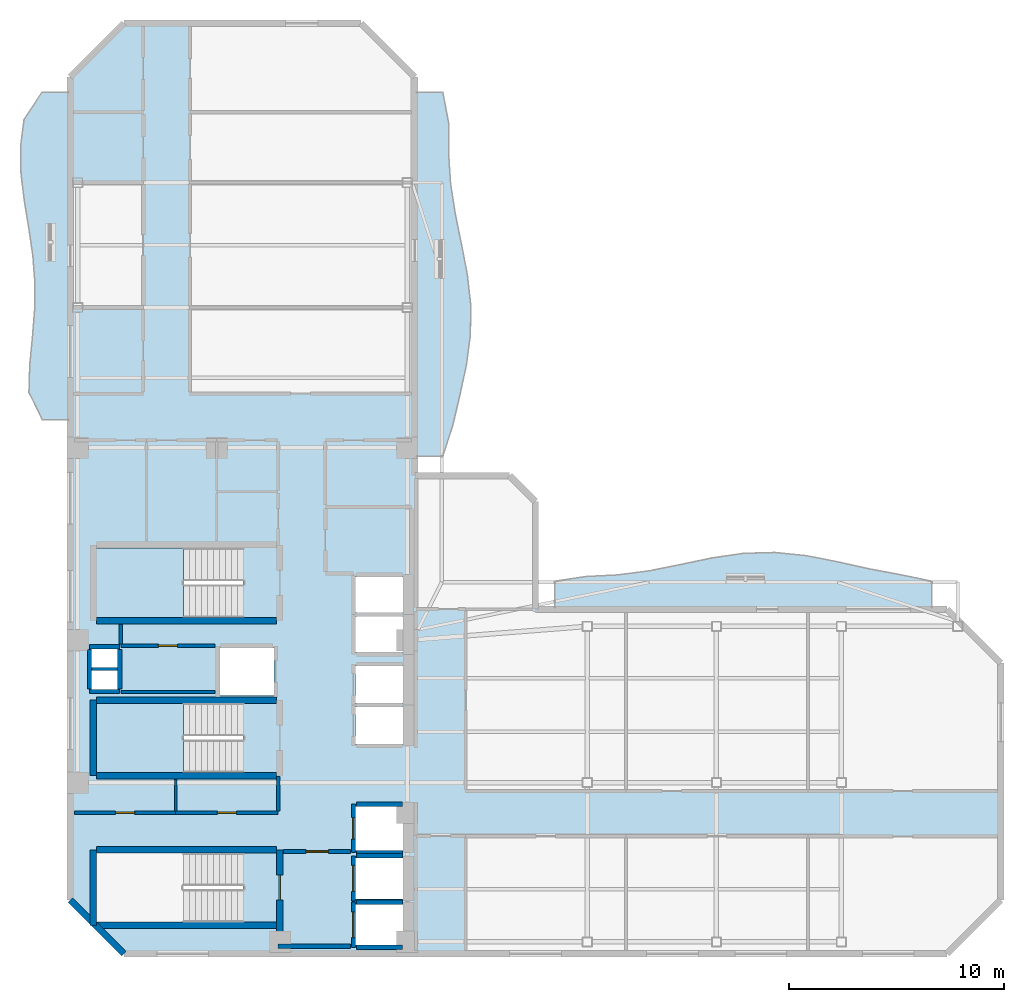
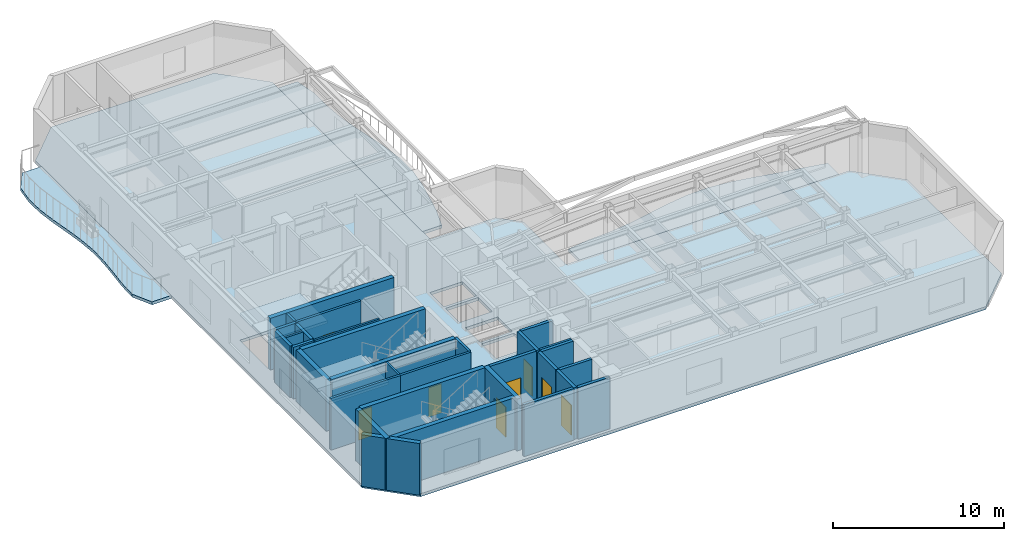
# One storey, part 2 of 9: 31 walls, 8 doors, 6 slabs, 8 openings, 2 elements without a shape of their own.
"""IFC4 building model written with IfcOpenShell, lengths in metres."""

from ifc_helpers import new_model, si_unit, direction, frame, frame_2d, origin, place, context, subcontext, project, spatial, polyline, rectangle, outline, extrude, material, layer, layer_set, type_object, element, fill, aggregate, save


model = new_model("IFC4")

# Units and contexts
model_context = context("Model", 3, precision=1e-05, world=origin(), true_north=direction((0.0, 1.0)))
body_context = subcontext(model_context, "Body", "Model", "MODEL_VIEW")
ifc_project = project(units=[si_unit("LENGTHUNIT", "METRE"), si_unit("AREAUNIT", "SQUARE_METRE"), si_unit("VOLUMEUNIT", "CUBIC_METRE"), si_unit("PLANEANGLEUNIT", "RADIAN"), si_unit("MASSUNIT", "GRAM", prefix="KILO")], contexts=[model_context])

# Site, building, storey
site_placement = place(None, origin())
site = spatial("IfcSite", under=ifc_project, at=site_placement, CompositionType="ELEMENT")
building_placement = place(site_placement, origin())
building = spatial("IfcBuilding", under=site, at=building_placement, Name="Mawjaban Terraces University", CompositionType="ELEMENT")
storey_placement = place(building_placement, frame((0.0, 0.0, 226.5)))
storey = spatial("IfcBuildingStorey", under=building, at=storey_placement, Name="L55", CompositionType="ELEMENT", Elevation=226.5)

# Slabs
ifc_material_1 = material(Name="Concrete C40/50", Category="concrete")
ifc_layer_1 = layer(ifc_material_1, 0.2099609375)
ifc_layer_set_1 = layer_set([ifc_layer_1], Name="Concrete C40/50")
slab_type_1 = type_object("IfcSlabType", Name="BalconySlab_210_Ext", PredefinedType="FLOOR", material=ifc_layer_set_1)
slab_1_placement = place(storey_placement, frame((0.0, 0.0, -0.2099609375)))
element("IfcSlab", 1, at=slab_1_placement, inside=storey, type_object=slab_type_1, Name="L55 Planted Balcony Slab west", PredefinedType="FLOOR", context=body_context, shape_type="SweptSolid", body=[
    extrude(outline(polyline([(22.010009765625, 24.800048828125), (22.010009765625, 40.0), (20.699951171875, 40.0), (19.85888671875, 38.73291015625), (19.694091796875, 37.467041015625), (19.718017578125, 36.199951171875), (19.8720703125, 34.93310546875), (20.08203125, 33.6669921875), (20.26611328125, 32.39990234375), (20.362060546875, 31.133056640625), (20.346923828125, 29.866943359375), (20.243896484375, 28.60009765625), (20.12109375, 27.3330078125), (20.0849609375, 26.06689453125), (20.699951171875, 24.800048828125), (22.010009765625, 24.800048828125)])), origin(), (0.0, 0.0, 1.0), 0.2099609375),
])
slab_2_placement = place(storey_placement, frame((0.0, 0.0, -0.2099609375)))
element("IfcSlab", 2, at=slab_2_placement, inside=storey, type_object=slab_type_1, Name="L55 Planted Balcony Slab inner_north", PredefinedType="FLOOR", context=body_context, shape_type="SweptSolid", body=[
    extrude(outline(polyline([(44.5, 15.989990234375), (62.0, 15.989990234375), (62.0, 17.300048828125), (60.5419921875, 17.59912109375), (59.0830078125, 17.8720703125), (57.625, 18.197998046875), (56.1669921875, 18.48388671875), (54.7080078125, 18.632080078125), (53.25, 18.590087890625), (51.7919921875, 18.376953125), (50.3330078125, 18.071044921875), (48.875, 17.780029296875), (47.4169921875, 17.590087890625), (45.9580078125, 17.51708984375), (44.5, 17.300048828125), (44.5, 15.989990234375)])), origin(), (0.0, 0.0, 1.0), 0.2099609375),
])
slab_3_placement = place(storey_placement, frame((0.0, 0.0, -0.2099609375)))
element("IfcSlab", 3, at=slab_3_placement, inside=storey, type_object=slab_type_1, Name="L55 Planted Balcony Slab inner_east", PredefinedType="FLOOR", context=body_context, shape_type="SweptSolid", body=[
    extrude(outline(polyline([(39.300048828125, 23.10009765625), (39.7529296875, 24.508056640625), (40.0869140625, 25.9169921875), (40.39111328125, 27.324951171875), (40.5791015625, 28.73291015625), (40.592041015625, 30.14208984375), (40.43310546875, 31.550048828125), (40.160888671875, 32.9580078125), (39.873046875, 34.366943359375), (39.657958984375, 35.77490234375), (39.56494140625, 37.18310546875), (39.56298828125, 38.592041015625), (39.300048828125, 40.0), (37.989990234375, 40.0), (37.989990234375, 23.10009765625), (39.300048828125, 23.10009765625)])), origin(), (0.0, 0.0, 1.0), 0.2099609375),
])
ifc_layer_2 = layer(ifc_material_1, 0.2099609375)
ifc_layer_set_2 = layer_set([ifc_layer_2], Name="Concrete C40/50")
slab_type_2 = type_object("IfcSlabType", Name="CompositeSlab_210", PredefinedType="FLOOR", material=ifc_layer_set_2)
slab_4_placement = place(storey_placement, frame((0.0, 0.0, -0.2099609375)))
element("IfcSlab", 4, at=slab_4_placement, inside=storey, type_object=slab_type_2, Name="L55 Primary Structural Slab", PredefinedType="FLOOR", context=body_context, shape_type="SweptSolid", body=[
    extrude(outline(polyline([(24.5, 0.0), (62.699951171875, 0.0), (65.199951171875, 2.5), (65.199951171875, 13.5), (62.699951171875, 16.0), (43.60009765625, 16.0), (43.60009765625, 21.0), (42.39990234375, 22.199951171875), (38.0, 22.199951171875), (38.0, 40.699951171875), (35.5, 43.199951171875), (24.5, 43.199951171875), (22.0, 40.699951171875), (22.0, 2.5), (24.5, 0.0)]), holes=[polyline([(30.014892578125, 4.699951171875), (23.199951171875, 4.699951171875), (23.199951171875, 1.449951171875), (30.014892578125, 1.449951171875), (30.014892578125, 4.699951171875)]), polyline([(30.014892578125, 18.85009765625), (23.199951171875, 18.85009765625), (23.199951171875, 15.60009765625), (30.014892578125, 15.60009765625), (30.014892578125, 18.85009765625)]), polyline([(30.014892578125, 11.64990234375), (23.199951171875, 11.64990234375), (23.199951171875, 8.39990234375), (30.014892578125, 8.39990234375), (30.014892578125, 11.64990234375)]), polyline([(35.25, 0.39990234375), (37.449951171875, 0.39990234375), (37.449951171875, 2.300048828125), (35.25, 2.300048828125), (35.25, 0.39990234375)]), polyline([(35.25, 2.550048828125), (37.449951171875, 2.550048828125), (37.449951171875, 4.449951171875), (35.25, 4.449951171875), (35.25, 2.550048828125)]), polyline([(35.25, 4.800048828125), (37.449951171875, 4.800048828125), (37.449951171875, 6.85009765625), (35.25, 6.85009765625), (35.25, 4.800048828125)]), polyline([(35.25, 9.75), (37.449951171875, 9.75), (37.449951171875, 11.449951171875), (35.25, 11.449951171875), (35.25, 9.75)]), polyline([(35.25, 11.64990234375), (37.449951171875, 11.64990234375), (37.449951171875, 13.35009765625), (35.25, 13.35009765625), (35.25, 11.64990234375)]), polyline([(28.949951171875, 12.0), (31.449951171875, 12.0), (31.449951171875, 14.199951171875), (28.949951171875, 14.199951171875), (28.949951171875, 12.0)]), polyline([(35.25, 14.0), (37.449951171875, 14.0), (37.449951171875, 15.64990234375), (35.25, 15.64990234375), (35.25, 14.0)]), polyline([(35.25, 15.85009765625), (37.449951171875, 15.85009765625), (37.449951171875, 17.5), (35.25, 17.5), (35.25, 15.85009765625)]), polyline([(23.0, 12.25), (24.199951171875, 12.25), (24.199951171875, 13.14990234375), (23.0, 13.14990234375), (23.0, 12.25)]), polyline([(23.0, 13.300048828125), (24.199951171875, 13.300048828125), (24.199951171875, 14.179931640625), (23.0, 14.179931640625), (23.0, 13.300048828125)])]), origin(), (0.0, 0.0, 1.0), 0.2099609375),
])

# Stair, slab
stair_type = type_object("IfcStairType", Name="Stair_Core1550_H39", PredefinedType="HALF_TURN_STAIR", material=ifc_material_1)
stair_1_placement = place(storey_placement, origin())
stair_1 = element("IfcStair", 5, at=stair_1_placement, inside=storey, type_object=stair_type, Name="L55 Core Exit Stair 2", PredefinedType="HALF_TURN_STAIR")
ifc_layer_3 = layer(ifc_material_1, 0.199951171875)
ifc_layer_set_3 = layer_set([ifc_layer_3], Name="Concrete C40/50")
slab_type_3 = type_object("IfcSlabType", Name="StairLandingSlab_200", PredefinedType="LANDING", material=ifc_layer_set_3)
slab_5_placement = place(storey_placement, frame((0.0, 0.0, 1.75)))
slab_5 = element("IfcSlab", 6, at=slab_5_placement, type_object=slab_type_3, Name="ST-2 landing 1", PredefinedType="LANDING", context=body_context, shape_type="SweptSolid", body=[
    extrude(outline(polyline([(27.25, 18.85009765625), (23.199951171875, 18.85009765625), (23.199951171875, 15.60009765625), (27.25, 15.60009765625), (27.25, 18.85009765625)])), origin(), (0.0, 0.0, 1.0), 0.199951171875),
])
aggregate(stair_1, [slab_5])

stair_2_placement = place(storey_placement, origin())
stair_2 = element("IfcStair", 7, at=stair_2_placement, inside=storey, type_object=stair_type, Name="L55 Core Exit Stair 3", PredefinedType="HALF_TURN_STAIR")
slab_6_placement = place(storey_placement, frame((0.0, 0.0, 1.75)))
slab_6 = element("IfcSlab", 8, at=slab_6_placement, type_object=slab_type_3, Name="ST-3 landing 1", PredefinedType="LANDING", context=body_context, shape_type="SweptSolid", body=[
    extrude(outline(polyline([(27.25, 11.64990234375), (23.199951171875, 11.64990234375), (23.199951171875, 8.39990234375), (27.25, 8.39990234375), (27.25, 11.64990234375)])), origin(), (0.0, 0.0, 1.0), 0.199951171875),
])
aggregate(stair_2, [slab_6])

# Wall, opening, door
ifc_material_2 = material(Name="Fire-rated gypsum board on steel stud", Category="steel")
ifc_layer_4 = layer(ifc_material_2, 0.159912109375)
ifc_layer_set_4 = layer_set([ifc_layer_4], Name="Fire-rated gypsum board on steel stud")
wall_type_1 = type_object("IfcWallType", Name="CorridorPartition_160", PredefinedType="PARTITIONING", material=ifc_layer_set_4)
wall_1_placement = place(storey_placement, frame((24.35009765625, 14.300048828125, 0.0), z_axis=(0.0, 0.0, 1.0), x_axis=(1.0, 0.0, 0.0)))
wall_1 = element("IfcWall", 9, at=wall_1_placement, inside=storey, type_object=wall_type_1, Name="L55 Core Riser Access Passage Partition 2", PredefinedType="PARTITIONING", context=body_context, shape_type="SweptSolid", body=[
    extrude(rectangle(XDim=4.369873046875, YDim=0.159912109375, at=frame_2d((2.18505859375, 0.0))), origin(), (0.0, 0.0, 1.0), 3.68994140625),
])
opening_1_placement = place(wall_1_placement, frame((1.7451171875, 0.0, 0.0)))
opening_1 = element("IfcOpeningElement", 10, at=opening_1_placement, cuts=wall_1, Name="Opening ID-088", PredefinedType="OPENING", context=body_context, shape_type="SweptSolid", body=[
    extrude(rectangle(XDim=0.8798828125, YDim=2.10009765625, at=frame_2d((0.43994140625, 1.050048828125))), frame((0.0, 0.08984375, 0.0), z_axis=(0.0, -1.0, 0.0), x_axis=(1.0, 0.0, 0.0)), (0.0, 0.0, 1.0), 0.179931640625),
])
ifc_material_3 = material(Name="Powder-coated steel frame and solid acoustic timber leaf", Category="steel")
door_type_1 = type_object("IfcDoorType", Name="ToiletDoor_880x2100", OperationType="NOTDEFINED", PredefinedType="DOOR", material=ifc_material_3)
door_1_placement = place(opening_1_placement, origin())
door_1 = element("IfcDoor", 11, at=door_1_placement, inside=storey, type_object=door_type_1, Name="L55 Ablution Room Door", OperationType="SINGLE_SWING_RIGHT", OverallHeight=2.10009765625, OverallWidth=0.8798828125, PredefinedType="DOOR", context=body_context, shape_type="SweptSolid", body=[
    extrude(rectangle(XDim=0.8798828125, YDim=2.10009765625, at=frame_2d((0.43994140625, 1.050048828125))), frame((0.0, 0.02490234375, 0.0), z_axis=(0.0, -1.0, 0.0), x_axis=(1.0, 0.0, 0.0)), (0.0, 0.0, 1.0), 0.050048828125),
])
fill(opening_1, door_1)

wall_2_placement = place(storey_placement, frame((26.89990234375, 6.550048828125, 0.0), z_axis=(0.0, 0.0, 1.0), x_axis=(-1.0, 0.0, 0.0)))
wall_2 = element("IfcWall", 12, at=wall_2_placement, inside=storey, type_object=wall_type_1, Name="L55 Core Washroom Lobby Partition 8", PredefinedType="PARTITIONING", context=body_context, shape_type="SweptSolid", body=[
    extrude(rectangle(XDim=4.699951171875, YDim=0.159912109375, at=frame_2d((2.35009765625, 0.0))), origin(), (0.0, 0.0, 1.0), 3.68994140625),
])
opening_2_placement = place(wall_2_placement, frame((1.909912109375, 0.0, 0.0)))
opening_2 = element("IfcOpeningElement", 13, at=opening_2_placement, cuts=wall_2, Name="Opening ID-088", PredefinedType="OPENING", context=body_context, shape_type="SweptSolid", body=[
    extrude(rectangle(XDim=0.8798828125, YDim=2.10009765625, at=frame_2d((0.43994140625, 1.050048828125))), frame((0.0, 0.08984375, 0.0), z_axis=(0.0, -1.0, 0.0), x_axis=(1.0, 0.0, 0.0)), (0.0, 0.0, 1.0), 0.179931640625),
])
door_2_placement = place(opening_2_placement, origin())
door_2 = element("IfcDoor", 14, at=door_2_placement, inside=storey, type_object=door_type_1, Name="L55 Male Toilet Door", OperationType="SINGLE_SWING_RIGHT", OverallHeight=2.10009765625, OverallWidth=0.8798828125, PredefinedType="DOOR", context=body_context, shape_type="SweptSolid", body=[
    extrude(rectangle(XDim=0.8798828125, YDim=2.10009765625, at=frame_2d((0.43994140625, 1.050048828125))), frame((0.0, 0.02490234375, 0.0), z_axis=(0.0, -1.0, 0.0), x_axis=(1.0, 0.0, 0.0)), (0.0, 0.0, 1.0), 0.050048828125),
])
fill(opening_2, door_2)

wall_3_placement = place(storey_placement, frame((31.64990234375, 6.550048828125, 0.0), z_axis=(0.0, 0.0, 1.0), x_axis=(-1.0, 0.0, 0.0)))
wall_3 = element("IfcWall", 15, at=wall_3_placement, inside=storey, type_object=wall_type_1, Name="L55 Core Washroom Lobby Partition 11", PredefinedType="PARTITIONING", context=body_context, shape_type="SweptSolid", body=[
    extrude(rectangle(XDim=4.75, YDim=0.159912109375, at=frame_2d((2.375, 0.0))), origin(), (0.0, 0.0, 1.0), 3.68994140625),
])
opening_3_placement = place(wall_3_placement, frame((1.93505859375, 0.0, 0.0)))
opening_3 = element("IfcOpeningElement", 16, at=opening_3_placement, cuts=wall_3, Name="Opening ID-088", PredefinedType="OPENING", context=body_context, shape_type="SweptSolid", body=[
    extrude(rectangle(XDim=0.8798828125, YDim=2.10009765625, at=frame_2d((0.43994140625, 1.050048828125))), frame((0.0, 0.08984375, 0.0), z_axis=(0.0, -1.0, 0.0), x_axis=(1.0, 0.0, 0.0)), (0.0, 0.0, 1.0), 0.179931640625),
])
door_3_placement = place(opening_3_placement, origin())
door_3 = element("IfcDoor", 17, at=door_3_placement, inside=storey, type_object=door_type_1, Name="L55 Accessible Toilet Door", OperationType="SINGLE_SWING_LEFT", OverallHeight=2.10009765625, OverallWidth=0.8798828125, PredefinedType="DOOR", context=body_context, shape_type="SweptSolid", body=[
    extrude(rectangle(XDim=0.8798828125, YDim=2.10009765625, at=frame_2d((0.43994140625, 1.050048828125))), frame((0.0, 0.02490234375, 0.0), z_axis=(0.0, -1.0, 0.0), x_axis=(1.0, 0.0, 0.0)), (0.0, 0.0, 1.0), 0.050048828125),
])
fill(opening_3, door_3)

# Walls
wall_4_placement = place(storey_placement, frame((24.35009765625, 15.2900390625, 0.0), z_axis=(0.0, 0.0, 1.0), x_axis=(0.0, -1.0, 0.0)))
element("IfcWall", 18, at=wall_4_placement, inside=storey, type_object=wall_type_1, Name="L55 Core Riser Access Passage Partition 31", PredefinedType="PARTITIONING", context=body_context, shape_type="SweptSolid", body=[
    extrude(rectangle(XDim=0.9150390625, YDim=0.159912109375, at=frame_2d((0.45751953125, 0.0))), origin(), (0.0, 0.0, 1.0), 3.68994140625),
])
wall_5_placement = place(storey_placement, frame((31.64990234375, 8.239990234375, 0.0), z_axis=(0.0, 0.0, 1.0), x_axis=(0.0, -1.0, 0.0)))
element("IfcWall", 19, at=wall_5_placement, inside=storey, type_object=wall_type_1, Name="L55 High-Rise Lift Lobby Partition 44", PredefinedType="PARTITIONING", context=body_context, shape_type="SweptSolid", body=[
    extrude(rectangle(XDim=1.614990234375, YDim=0.159912109375, at=frame_2d((0.8076171875, 0.0))), origin(), (0.0, 0.0, 1.0), 3.68994140625),
])
ifc_material_4 = material(Name="Insulated terracotta rainscreen on concrete backup C40/50", Category="masonry")
ifc_layer_5 = layer(ifc_material_4, 0.300048828125)
ifc_layer_set_5 = layer_set([ifc_layer_5], Name="Insulated terracotta rainscreen on concrete backup C40/50")
wall_type_2 = type_object("IfcWallType", Name="ExtTerracottaWall_300", PredefinedType="SOLIDWALL", material=ifc_layer_set_5)
wall_6_placement = place(storey_placement, frame((22.0, 2.5, 0.0), z_axis=(0.0, 0.0, 1.0), x_axis=(0.707106781187, -0.707106781187, 0.0)))
element("IfcWall", 20, at=wall_6_placement, inside=storey, type_object=wall_type_2, Name="L55 Exterior Terracotta Wall 14", PredefinedType="SOLIDWALL", context=body_context, shape_type="SweptSolid", body=[
    extrude(rectangle(XDim=3.53564453125, YDim=0.300048828125, at=frame_2d((1.767822265625, 0.0))), origin(), (0.0, 0.0, 1.0), 3.68994140625),
])

# Wall, opening, door
ifc_layer_6 = layer(ifc_material_1, 0.199951171875)
ifc_layer_set_6 = layer_set([ifc_layer_6], Name="Concrete C40/50")
wall_type_3 = type_object("IfcWallType", Name="FireLobbyWall_200", PredefinedType="SOLIDWALL", material=ifc_layer_set_6)
wall_7_placement = place(storey_placement, frame((35.14990234375, 2.39990234375, 0.0), z_axis=(0.0, 0.0, 1.0), x_axis=(0.0, -1.0, 0.0)))
wall_7 = element("IfcWall", 21, at=wall_7_placement, inside=storey, type_object=wall_type_3, Name="L55 Lift FL-1 Hoistway Wall West", PredefinedType="SOLIDWALL", context=body_context, shape_type="SweptSolid", body=[
    extrude(rectangle(XDim=2.099853515625, YDim=0.199951171875, at=frame_2d((1.0498046875, 0.0))), origin(), (0.0, 0.0, 1.0), 3.68994140625),
])
opening_4_placement = place(wall_7_placement, frame((0.449951171875, 0.0, 0.0)))
opening_4 = element("IfcOpeningElement", 22, at=opening_4_placement, cuts=wall_7, Name="Opening LD-FL-1", PredefinedType="OPENING", context=body_context, shape_type="SweptSolid", body=[
    extrude(rectangle(XDim=1.199951171875, YDim=2.14990234375, at=frame_2d((0.60009765625, 1.074951171875))), frame((0.0, 0.10986328125, 0.0), z_axis=(0.0, -1.0, 0.0), x_axis=(1.0, 0.0, 0.0)), (0.0, 0.0, 1.0), 0.219970703125),
])
ifc_material_5 = material(Name="Powder-coated steel frame and fire-rated steel-faced leaf", Category="steel")
door_type_2 = type_object("IfcDoorType", Name="LiftLandingFSAE_1200x2150", OperationType="NOTDEFINED", PredefinedType="DOOR", material=ifc_material_5)
door_4_placement = place(opening_4_placement, origin())
door_4 = element("IfcDoor", 23, at=door_4_placement, inside=storey, type_object=door_type_2, Name="L55 Lift FL-1 Sliding Landing Door", OperationType="DOUBLE_DOOR_SLIDING", OverallHeight=2.14990234375, OverallWidth=1.199951171875, PredefinedType="DOOR", context=body_context, shape_type="SweptSolid", body=[
    extrude(rectangle(XDim=1.199951171875, YDim=2.14990234375, at=frame_2d((0.60009765625, 1.074951171875))), frame((0.0, 0.02490234375, 0.0), z_axis=(0.0, -1.0, 0.0), x_axis=(1.0, 0.0, 0.0)), (0.0, 0.0, 1.0), 0.050048828125),
])
fill(opening_4, door_4)

# Walls
for number, where, z_axis, x_axis, name in (
    (24, (35.280029296875, 0.300048828125, 0.0), (0.0, 0.0, 1.0), (1.0, 0.0, 0.0), "L55 Lift FL-1 Hoistway Wall South"),
    (25, (37.419921875, 2.39990234375, 0.0), (0.0, 0.0, 1.0), (-1.0, 0.0, 0.0), "L55 Lift FL-1 Hoistway Wall North"),
):
    element("IfcWall", number, at=place(storey_placement, frame(where, z_axis=z_axis, x_axis=x_axis)), inside=storey, type_object=wall_type_3, Name=name, PredefinedType="SOLIDWALL", context=body_context, shape_type="SweptSolid", body=[
        extrude(rectangle(XDim=2.139892578125, YDim=0.199951171875, at=frame_2d((1.06982421875, 0.0))), origin(), (0.0, 0.0, 1.0), 3.68994140625),
    ])

# Wall, opening, door
wall_8_placement = place(storey_placement, frame((35.14990234375, 4.550048828125, 0.0), z_axis=(0.0, 0.0, 1.0), x_axis=(0.0, -1.0, 0.0)))
wall_8 = element("IfcWall", 26, at=wall_8_placement, inside=storey, type_object=wall_type_3, Name="L55 Lift FL-2 Hoistway Wall West", PredefinedType="SOLIDWALL", context=body_context, shape_type="SweptSolid", body=[
    extrude(rectangle(XDim=2.10009765625, YDim=0.199951171875, at=frame_2d((1.050048828125, 0.0))), origin(), (0.0, 0.0, 1.0), 3.68994140625),
])
opening_5_placement = place(wall_8_placement, frame((0.449951171875, 0.0, 0.0)))
opening_5 = element("IfcOpeningElement", 27, at=opening_5_placement, cuts=wall_8, Name="Opening LD-FL-2", PredefinedType="OPENING", context=body_context, shape_type="SweptSolid", body=[
    extrude(rectangle(XDim=1.199951171875, YDim=2.14990234375, at=frame_2d((0.60009765625, 1.074951171875))), frame((0.0, 0.10986328125, 0.0), z_axis=(0.0, -1.0, 0.0), x_axis=(1.0, 0.0, 0.0)), (0.0, 0.0, 1.0), 0.219970703125),
])
door_5_placement = place(opening_5_placement, origin())
door_5 = element("IfcDoor", 28, at=door_5_placement, inside=storey, type_object=door_type_2, Name="L55 Lift FL-2 Sliding Landing Door", OperationType="DOUBLE_DOOR_SLIDING", OverallHeight=2.14990234375, OverallWidth=1.199951171875, PredefinedType="DOOR", context=body_context, shape_type="SweptSolid", body=[
    extrude(rectangle(XDim=1.199951171875, YDim=2.14990234375, at=frame_2d((0.60009765625, 1.074951171875))), frame((0.0, 0.02490234375, 0.0), z_axis=(0.0, -1.0, 0.0), x_axis=(1.0, 0.0, 0.0)), (0.0, 0.0, 1.0), 0.050048828125),
])
fill(opening_5, door_5)

# Wall
wall_9_placement = place(storey_placement, frame((37.419921875, 4.550048828125, 0.0), z_axis=(0.0, 0.0, 1.0), x_axis=(-1.0, 0.0, 0.0)))
element("IfcWall", 29, at=wall_9_placement, inside=storey, type_object=wall_type_3, Name="L55 Lift FL-2 Hoistway Wall North", PredefinedType="SOLIDWALL", context=body_context, shape_type="SweptSolid", body=[
    extrude(rectangle(XDim=2.139892578125, YDim=0.199951171875, at=frame_2d((1.06982421875, 0.0))), origin(), (0.0, 0.0, 1.0), 3.68994140625),
])

# Wall, opening, door
wall_10_placement = place(storey_placement, frame((35.14990234375, 6.949951171875, 0.0), z_axis=(0.0, 0.0, 1.0), x_axis=(0.0, -1.0, 0.0)))
wall_10 = element("IfcWall", 30, at=wall_10_placement, inside=storey, type_object=wall_type_3, Name="L55 Lift SL-1 Hoistway Wall West", PredefinedType="SOLIDWALL", context=body_context, shape_type="SweptSolid", body=[
    extrude(rectangle(XDim=2.25, YDim=0.199951171875, at=frame_2d((1.125, 0.0))), origin(), (0.0, 0.0, 1.0), 3.68994140625),
])
opening_6_placement = place(wall_10_placement, frame((0.625, 0.0, 0.0)))
opening_6 = element("IfcOpeningElement", 31, at=opening_6_placement, cuts=wall_10, Name="Opening LD-SL-1", PredefinedType="OPENING", context=body_context, shape_type="SweptSolid", body=[
    extrude(rectangle(XDim=1.0, YDim=2.10009765625, at=frame_2d((0.5, 1.050048828125))), frame((0.0, 0.10986328125, 0.0), z_axis=(0.0, -1.0, 0.0), x_axis=(1.0, 0.0, 0.0)), (0.0, 0.0, 1.0), 0.219970703125),
])
door_type_3 = type_object("IfcDoorType", Name="LiftLandingSliding_1000x2100", OperationType="NOTDEFINED", PredefinedType="DOOR", material=ifc_material_5)
door_6_placement = place(opening_6_placement, origin())
door_6 = element("IfcDoor", 32, at=door_6_placement, inside=storey, type_object=door_type_3, Name="L55 Lift SL-1 Sliding Landing Door", OperationType="DOUBLE_DOOR_SLIDING", OverallHeight=2.10009765625, OverallWidth=1.0, PredefinedType="DOOR", context=body_context, shape_type="SweptSolid", body=[
    extrude(rectangle(XDim=1.0, YDim=2.10009765625, at=frame_2d((0.5, 1.050048828125))), frame((0.0, 0.02490234375, 0.0), z_axis=(0.0, -1.0, 0.0), x_axis=(1.0, 0.0, 0.0)), (0.0, 0.0, 1.0), 0.050048828125),
])
fill(opening_6, door_6)

# Walls
for number, where, z_axis, x_axis, name in (
    (33, (35.280029296875, 4.699951171875, 0.0), (0.0, 0.0, 1.0), (1.0, 0.0, 0.0), "L55 Lift SL-1 Hoistway Wall South"),
    (34, (37.419921875, 6.949951171875, 0.0), (0.0, 0.0, 1.0), (-1.0, 0.0, 0.0), "L55 Lift SL-1 Hoistway Wall North"),
):
    element("IfcWall", number, at=place(storey_placement, frame(where, z_axis=z_axis, x_axis=x_axis)), inside=storey, type_object=wall_type_3, Name=name, PredefinedType="SOLIDWALL", context=body_context, shape_type="SweptSolid", body=[
        extrude(rectangle(XDim=2.139892578125, YDim=0.199951171875, at=frame_2d((1.06982421875, 0.0))), origin(), (0.0, 0.0, 1.0), 3.68994140625),
    ])
for number, where, z_axis, x_axis, name in (
    (35, (22.89990234375, 14.25, 0.0), (0.0, 0.0, 1.0), (1.0, 0.0, 0.0), "L55 MEP Riser Shaft Wall N"),
    (36, (22.89990234375, 12.179931640625, 0.0), (0.0, 0.0, 1.0), (1.0, 0.0, 0.0), "L55 MEP Riser Shaft Wall S"),
):
    element("IfcWall", number, at=place(storey_placement, frame(where, z_axis=z_axis, x_axis=x_axis)), inside=storey, type_object=wall_type_3, Name=name, PredefinedType="SOLIDWALL", context=body_context, shape_type="SweptSolid", body=[
        extrude(rectangle(XDim=1.400146484375, YDim=0.199951171875, at=frame_2d((0.7001953125, 0.0))), origin(), (0.0, 0.0, 1.0), 3.68994140625),
    ])
for number, where, z_axis, x_axis, name in (
    (37, (24.300048828125, 12.300048828125, 0.0), (0.0, 0.0, 1.0), (0.0, 1.0, 0.0), "L55 MEP Riser Shaft Wall E"),
    (38, (22.89990234375, 12.300048828125, 0.0), (0.0, 0.0, 1.0), (0.0, 1.0, 0.0), "L55 MEP Riser Shaft Wall W"),
):
    element("IfcWall", number, at=place(storey_placement, frame(where, z_axis=z_axis, x_axis=x_axis)), inside=storey, type_object=wall_type_3, Name=name, PredefinedType="SOLIDWALL", context=body_context, shape_type="SweptSolid", body=[
        extrude(rectangle(XDim=1.829833984375, YDim=0.199951171875, at=frame_2d((0.9150390625, 0.0))), origin(), (0.0, 0.0, 1.0), 3.68994140625),
    ])
wall_11_placement = place(storey_placement, frame((31.64990234375, 0.35009765625, 0.0), z_axis=(0.0, 0.0, 1.0), x_axis=(1.0, 0.0, 0.0)))
element("IfcWall", 39, at=wall_11_placement, inside=storey, type_object=wall_type_3, Name="L55 Firefighting Lift Lobby Partition 10", PredefinedType="SOLIDWALL", context=body_context, shape_type="SweptSolid", body=[
    extrude(rectangle(XDim=3.3701171875, YDim=0.199951171875, at=frame_2d((1.68505859375, 0.0))), origin(), (0.0, 0.0, 1.0), 3.68994140625),
])

# Wall, opening, door
wall_12_placement = place(storey_placement, frame((35.02001953125, 4.75, 0.0), z_axis=(0.0, 0.0, 1.0), x_axis=(-1.0, 0.0, 0.0)))
wall_12 = element("IfcWall", 40, at=wall_12_placement, inside=storey, type_object=wall_type_3, Name="L55 Firefighting Lift Lobby Partition 15", PredefinedType="SOLIDWALL", context=body_context, shape_type="SweptSolid", body=[
    extrude(rectangle(XDim=3.110107421875, YDim=0.199951171875, at=frame_2d((1.55517578125, 0.0))), origin(), (0.0, 0.0, 1.0), 3.68994140625),
])
opening_7_placement = place(wall_12_placement, frame((1.030029296875, 0.0, 0.0)))
opening_7 = element("IfcOpeningElement", 41, at=opening_7_placement, cuts=wall_12, Name="Opening FD-105", PredefinedType="OPENING", context=body_context, shape_type="SweptSolid", body=[
    extrude(rectangle(XDim=1.050048828125, YDim=2.14990234375, at=frame_2d((0.52490234375, 1.074951171875))), frame((0.0, 0.10986328125, 0.0), z_axis=(0.0, -1.0, 0.0), x_axis=(1.0, 0.0, 0.0)), (0.0, 0.0, 1.0), 0.219970703125),
])
door_type_4 = type_object("IfcDoorType", Name="FireLobbyDoor_1050x2150", OperationType="NOTDEFINED", PredefinedType="DOOR", material=ifc_material_5)
door_7_placement = place(opening_7_placement, origin())
door_7 = element("IfcDoor", 42, at=door_7_placement, inside=storey, type_object=door_type_4, Name="L55 Firefighting Lift Lobby Door", OperationType="SINGLE_SWING_LEFT", OverallHeight=2.14990234375, OverallWidth=1.050048828125, PredefinedType="DOOR", context=body_context, shape_type="SweptSolid", body=[
    extrude(rectangle(XDim=1.050048828125, YDim=2.14990234375, at=frame_2d((0.52490234375, 1.074951171875))), frame((0.0, 0.02490234375, 0.0), z_axis=(0.0, -1.0, 0.0), x_axis=(1.0, 0.0, 0.0)), (0.0, 0.0, 1.0), 0.050048828125),
])
fill(opening_7, door_7)

# Walls
ifc_material_6 = material(Name="Moisture-resistant gypsum board on steel stud", Category="steel")
ifc_layer_7 = layer(ifc_material_6, 0.14501953125)
ifc_layer_set_7 = layer_set([ifc_layer_7], Name="Moisture-resistant gypsum board on steel stud")
wall_type_4 = type_object("IfcWallType", Name="LabPartition_145", PredefinedType="PARTITIONING", material=ifc_layer_set_7)
wall_13_placement = place(storey_placement, frame((23.010009765625, 13.22509765625, 0.0), z_axis=(0.0, 0.0, 1.0), x_axis=(1.0, 0.0, 0.0)))
element("IfcWall", 43, at=wall_13_placement, inside=storey, type_object=wall_type_4, Name="L55 MEP Riser Shaft Wall M", PredefinedType="PARTITIONING", context=body_context, shape_type="SweptSolid", body=[
    extrude(rectangle(XDim=1.179931640625, YDim=0.14501953125, at=frame_2d((0.58984375, 0.0))), origin(), (0.0, 0.0, 1.0), 3.68994140625),
])
ifc_material_7 = material(Name="Concrete C60/75", Category="concrete")
ifc_layer_8 = layer(ifc_material_7, 0.300048828125)
ifc_layer_set_8 = layer_set([ifc_layer_8], Name="Concrete C60/75")
wall_type_5 = type_object("IfcWallType", Name="StairShaftWall_300", PredefinedType="SHEAR", material=ifc_layer_set_8)
wall_14_placement = place(storey_placement, frame((31.580078125, 4.830078125, 0.0), z_axis=(0.0, 0.0, 1.0), x_axis=(-1.0, 0.0, 0.0)))
element("IfcWall", 44, at=wall_14_placement, inside=storey, type_object=wall_type_5, Name="L55 ST-1 Stair Shaft Wall 1", PredefinedType="SHEAR", context=body_context, shape_type="SweptSolid", body=[
    extrude(rectangle(XDim=8.360107421875, YDim=0.300048828125, at=frame_2d((4.18017578125, 0.0))), origin(), (0.0, 0.0, 1.0), 3.68994140625),
])
wall_15_placement = place(storey_placement, frame((23.070068359375, 4.830078125, 0.0), z_axis=(0.0, 0.0, 1.0), x_axis=(0.0, -1.0, 0.0)))
element("IfcWall", 45, at=wall_15_placement, inside=storey, type_object=wall_type_5, Name="L55 ST-1 Stair Shaft Wall 2", PredefinedType="SHEAR", context=body_context, shape_type="SweptSolid", body=[
    extrude(rectangle(XDim=3.510009765625, YDim=0.300048828125, at=frame_2d((1.7548828125, 0.0))), origin(), (0.0, 0.0, 1.0), 3.68994140625),
])
wall_16_placement = place(storey_placement, frame((23.219970703125, 1.320068359375, 0.0), z_axis=(0.0, 0.0, 1.0), x_axis=(1.0, 0.0, 0.0)))
element("IfcWall", 46, at=wall_16_placement, inside=storey, type_object=wall_type_5, Name="L55 ST-1 Stair Shaft Wall 3", PredefinedType="SHEAR", context=body_context, shape_type="SweptSolid", body=[
    extrude(rectangle(XDim=8.360107421875, YDim=0.300048828125, at=frame_2d((4.18017578125, 0.0))), origin(), (0.0, 0.0, 1.0), 3.68994140625),
])

# Wall, opening, door
wall_17_placement = place(storey_placement, frame((31.72998046875, 0.9599609375, 0.0), z_axis=(0.0, 0.0, 1.0), x_axis=(0.0, 1.0, 0.0)))
wall_17 = element("IfcWall", 47, at=wall_17_placement, inside=storey, type_object=wall_type_5, Name="L55 ST-1 Stair Shaft Wall 4", PredefinedType="SHEAR", context=body_context, shape_type="SweptSolid", body=[
    extrude(rectangle(XDim=3.8701171875, YDim=0.300048828125, at=frame_2d((1.93505859375, 0.0))), origin(), (0.0, 0.0, 1.0), 3.68994140625),
])
opening_8_placement = place(wall_17_placement, frame((1.5400390625, 0.0, 0.0)))
opening_8 = element("IfcOpeningElement", 48, at=opening_8_placement, cuts=wall_17, Name="Opening FD-115", PredefinedType="OPENING", context=body_context, shape_type="SweptSolid", body=[
    extrude(rectangle(XDim=1.14990234375, YDim=2.14990234375, at=frame_2d((0.574951171875, 1.074951171875))), frame((0.0, 0.159912109375, 0.0), z_axis=(0.0, -1.0, 0.0), x_axis=(1.0, 0.0, 0.0)), (0.0, 0.0, 1.0), 0.320068359375),
])
door_type_5 = type_object("IfcDoorType", Name="FireStairDoor_1150x2150", OperationType="NOTDEFINED", PredefinedType="DOOR", material=ifc_material_5)
door_8_placement = place(opening_8_placement, origin())
door_8 = element("IfcDoor", 49, at=door_8_placement, inside=storey, type_object=door_type_5, Name="L55 ST-1 Pressurised Stair Fire Door", OperationType="SINGLE_SWING_RIGHT", OverallHeight=2.14990234375, OverallWidth=1.14990234375, PredefinedType="DOOR", context=body_context, shape_type="SweptSolid", body=[
    extrude(rectangle(XDim=1.14990234375, YDim=2.14990234375, at=frame_2d((0.574951171875, 1.074951171875))), frame((0.0, 0.02490234375, 0.0), z_axis=(0.0, -1.0, 0.0), x_axis=(1.0, 0.0, 0.0)), (0.0, 0.0, 1.0), 0.050048828125),
])
fill(opening_8, door_8)

# Walls
for number, where, z_axis, x_axis, name in (
    (50, (23.219970703125, 15.469970703125, 0.0), (0.0, 0.0, 1.0), (1.0, 0.0, 0.0), "L55 ST-2 Stair Shaft Wall 3"),
    (51, (31.580078125, 11.780029296875, 0.0), (0.0, 0.0, 1.0), (-1.0, 0.0, 0.0), "L55 ST-3 Stair Shaft Wall 1"),
):
    element("IfcWall", number, at=place(storey_placement, frame(where, z_axis=z_axis, x_axis=x_axis)), inside=storey, type_object=wall_type_5, Name=name, PredefinedType="SHEAR", context=body_context, shape_type="SweptSolid", body=[
        extrude(rectangle(XDim=8.360107421875, YDim=0.300048828125, at=frame_2d((4.18017578125, 0.0))), origin(), (0.0, 0.0, 1.0), 3.68994140625),
    ])
wall_18_placement = place(storey_placement, frame((23.070068359375, 11.780029296875, 0.0), z_axis=(0.0, 0.0, 1.0), x_axis=(0.0, -1.0, 0.0)))
element("IfcWall", 52, at=wall_18_placement, inside=storey, type_object=wall_type_5, Name="L55 ST-3 Stair Shaft Wall 2", PredefinedType="SHEAR", context=body_context, shape_type="SweptSolid", body=[
    extrude(rectangle(XDim=3.510009765625, YDim=0.300048828125, at=frame_2d((1.7548828125, 0.0))), origin(), (0.0, 0.0, 1.0), 3.68994140625),
])
wall_19_placement = place(storey_placement, frame((23.219970703125, 8.27001953125, 0.0), z_axis=(0.0, 0.0, 1.0), x_axis=(1.0, 0.0, 0.0)))
element("IfcWall", 53, at=wall_19_placement, inside=storey, type_object=wall_type_5, Name="L55 ST-3 Stair Shaft Wall 3", PredefinedType="SHEAR", context=body_context, shape_type="SweptSolid", body=[
    extrude(rectangle(XDim=8.360107421875, YDim=0.300048828125, at=frame_2d((4.18017578125, 0.0))), origin(), (0.0, 0.0, 1.0), 3.68994140625),
])
ifc_material_8 = material(Name="Cement-board wet-room partition", Category="masonry")
ifc_layer_9 = layer(ifc_material_8, 0.135009765625)
ifc_layer_set_9 = layer_set([ifc_layer_9], Name="Cement-board wet-room partition")
wall_type_6 = type_object("IfcWallType", Name="WetRoomPartition_135", PredefinedType="PARTITIONING", material=ifc_layer_set_9)
wall_20_placement = place(storey_placement, frame((24.35009765625, 12.14990234375, 0.0), z_axis=(0.0, 0.0, 1.0), x_axis=(1.0, 0.0, 0.0)))
element("IfcWall", 54, at=wall_20_placement, inside=storey, type_object=wall_type_6, Name="L55 Ablution Room Partition 1", PredefinedType="PARTITIONING", context=body_context, shape_type="SweptSolid", body=[
    extrude(rectangle(XDim=4.369873046875, YDim=0.135009765625, at=frame_2d((2.18505859375, 0.0))), origin(), (0.0, 0.0, 1.0), 3.68994140625),
])
wall_21_placement = place(storey_placement, frame((26.89990234375, 6.625, 0.0), z_axis=(0.0, 0.0, 1.0), x_axis=(0.0, 1.0, 0.0)))
element("IfcWall", 55, at=wall_21_placement, inside=storey, type_object=wall_type_6, Name="L55 Male Toilet Partition 37", PredefinedType="PARTITIONING", context=body_context, shape_type="SweptSolid", body=[
    extrude(rectangle(XDim=1.465087890625, YDim=0.135009765625, at=frame_2d((0.732421875, 0.0))), origin(), (0.0, 0.0, 1.0), 3.68994140625),
])

save(model, "model.ifc")
